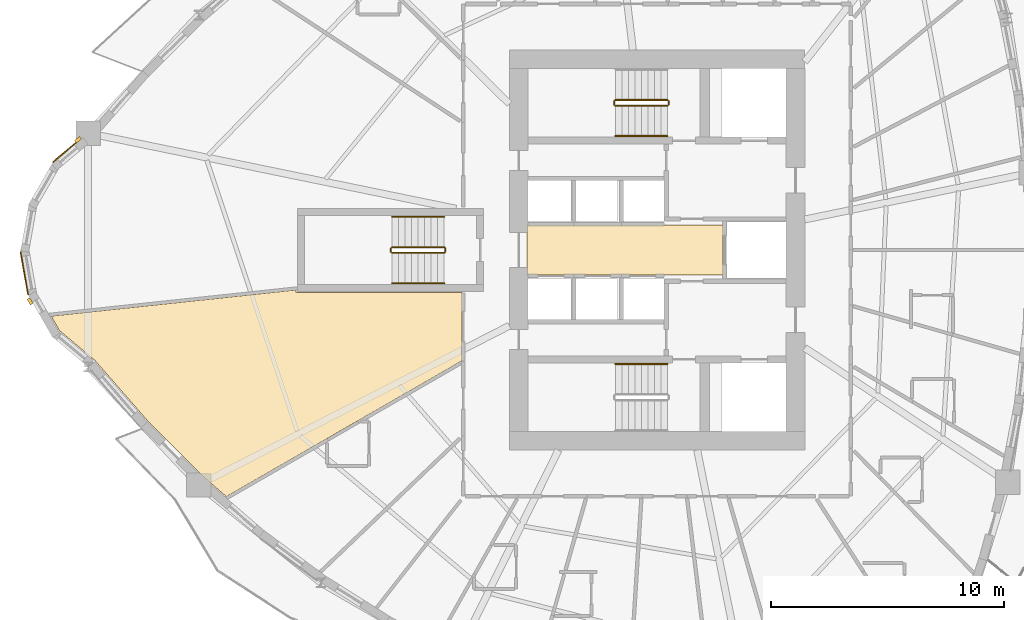
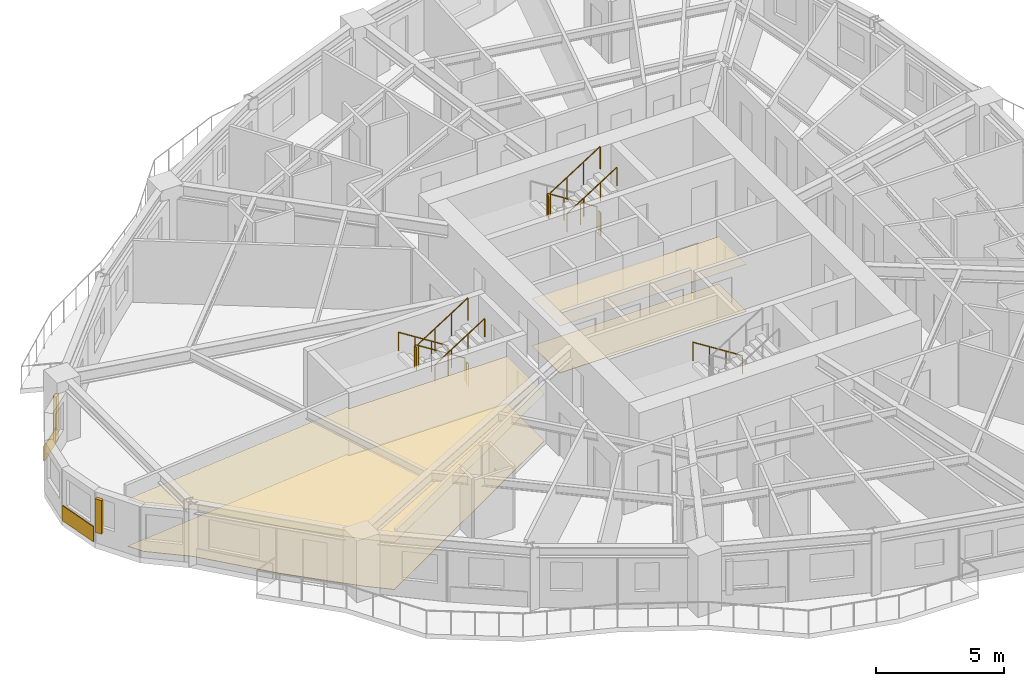
# One storey, part 12 of 14: 12 railings, 6 coverings, 2 shading devices.
"""IFC4 building model written with IfcOpenShell, lengths in metres."""

from ifc_helpers import new_model, si_unit, direction, frame, origin, origin_2d, place, context, subcontext, project, spatial, polyline, rectangle, circle, outline, extrude, source, transform, mapped, material, layer, layer_set, type_object, element, save


model = new_model("IFC4")

# Units and contexts
model_context = context("Model", 3, precision=1e-05, world=origin(), true_north=direction((0.0, 1.0)))
body_context = subcontext(model_context, "Body", "Model", "MODEL_VIEW")
ifc_project = project(units=[si_unit("LENGTHUNIT", "METRE"), si_unit("AREAUNIT", "SQUARE_METRE"), si_unit("VOLUMEUNIT", "CUBIC_METRE"), si_unit("PLANEANGLEUNIT", "RADIAN"), si_unit("MASSUNIT", "GRAM", prefix="KILO")], contexts=[model_context])

# Site, building, storey
site_placement = place(None, origin())
site = spatial("IfcSite", under=ifc_project, at=site_placement, CompositionType="ELEMENT")
building_placement = place(site_placement, origin())
building = spatial("IfcBuilding", under=site, at=building_placement, Name="Qafzar Sky-Pleat Residences", CompositionType="ELEMENT")
storey_placement = place(building_placement, frame((0.0, 0.0, 14.199951171875)))
storey = spatial("IfcBuildingStorey", under=building, at=storey_placement, Name="L03", CompositionType="ELEMENT", Elevation=14.199951171875)

# Coverings
ifc_material_1 = material(Name="Perforated acoustic gypsum board ceiling")
ifc_layer_1 = layer(ifc_material_1, 0.02001953125)
ifc_layer_set_1 = layer_set([ifc_layer_1], Name="Perforated acoustic gypsum board ceiling")
covering_type_1 = type_object("IfcCoveringType", Name="COV-CEIL-ACOUSTIC", PredefinedType="CEILING", material=ifc_layer_set_1)
covering_1_placement = place(storey_placement, frame((0.0, 0.0, 2.239990234375)))
element("IfcCovering", 1, at=covering_1_placement, inside=storey, type_object=covering_type_1, Name="L03 Passenger Lift Lobby Acoustic Ceiling", PredefinedType="CEILING", context=body_context, shape_type="SweptSolid", body=[
    extrude(outline(polyline([(33.179931640625, 24.919921875), (24.77001953125, 24.919921875), (24.77001953125, 27.080078125), (33.179931640625, 27.080078125), (33.179931640625, 24.919921875)])), origin(), (0.0, 0.0, 1.0), 0.02001953125),
])
covering_2_placement = place(storey_placement, frame((0.0, 0.0, 2.239990234375)))
element("IfcCovering", 2, at=covering_2_placement, inside=storey, type_object=covering_type_1, Name="L03 Resident Atrium Foyer Acoustic Ceiling", PredefinedType="CEILING", context=body_context, shape_type="SweptSolid", body=[
    extrude(outline(polyline([(10.921142578125, 16.194091796875), (8.50341796875, 18.602783203125), (6.180908203125, 21.263427734375), (4.668212890625, 22.532958984375), (4.30615234375, 23.159912109375), (14.840087890625, 24.2841796875), (14.840087890625, 24.1650390625), (21.9599609375, 24.1650390625), (21.9599609375, 21.2353515625), (11.83837890625, 15.403564453125), (10.921142578125, 16.194091796875)])), origin(), (0.0, 0.0, 1.0), 0.02001953125),
])
ifc_material_2 = material(Name="Honed porcelain and Riyadh stone tile flooring", Category="masonry")
ifc_layer_2 = layer(ifc_material_2, 0.02001953125)
ifc_layer_set_2 = layer_set([ifc_layer_2], Name="Honed porcelain and Riyadh stone tile flooring")
covering_type_2 = type_object("IfcCoveringType", Name="COV-FLR-PORCELAIN", PredefinedType="FLOORING", material=ifc_layer_set_2)
covering_3_placement = place(storey_placement, origin())
element("IfcCovering", 3, at=covering_3_placement, inside=storey, type_object=covering_type_2, Name="L03 Passenger Lift Lobby Honed Stone Flooring", PredefinedType="FLOORING", context=body_context, shape_type="SweptSolid", body=[
    extrude(outline(polyline([(33.179931640625, 24.919921875), (24.77001953125, 24.919921875), (24.77001953125, 27.080078125), (33.179931640625, 27.080078125), (33.179931640625, 24.919921875)])), origin(), (0.0, 0.0, 1.0), 0.02001953125),
])
covering_4_placement = place(storey_placement, origin())
element("IfcCovering", 4, at=covering_4_placement, inside=storey, type_object=covering_type_2, Name="L03 Resident Atrium Foyer Honed Stone Flooring", PredefinedType="FLOORING", context=body_context, shape_type="SweptSolid", body=[
    extrude(outline(polyline([(10.921142578125, 16.194091796875), (8.50341796875, 18.602783203125), (6.180908203125, 21.263427734375), (4.668212890625, 22.532958984375), (4.30615234375, 23.159912109375), (14.840087890625, 24.2841796875), (14.840087890625, 24.1650390625), (21.9599609375, 24.1650390625), (21.9599609375, 21.2353515625), (11.83837890625, 15.403564453125), (10.921142578125, 16.194091796875)])), origin(), (0.0, 0.0, 1.0), 0.02001953125),
])
ifc_material_3 = material(Name="Honed Riyadh Tuwaiq limestone cladding", Category="masonry")
ifc_layer_3 = layer(ifc_material_3, 0.044921875)
ifc_layer_set_3 = layer_set([ifc_layer_3], Name="Honed Riyadh Tuwaiq limestone cladding")
covering_type_3 = type_object("IfcCoveringType", Name="COV-CLAD-STONE", PredefinedType="CLADDING", material=ifc_layer_set_3)
shared_shape_1 = source(origin(), body_context, "Body", "SweptSolid", [
    extrude(rectangle(XDim=1.5771484375, YDim=0.044921875, at=origin_2d()), origin(), (0.0, 0.0, 1.0), 0.719970703125),
])
covering_5_placement = place(storey_placement, frame((4.98486328125, 30.28369140625, 0.02001953125), z_axis=(0.0, 0.0, 1.0), x_axis=(-0.766074606481, -0.642751660678, 0.0)))
element("IfcCovering", 5, at=covering_5_placement, inside=storey, type_object=covering_type_3, Name="L03 Riyadh Limestone Spandrel Cladding 1", PredefinedType="CLADDING", context=body_context, shape_type="MappedRepresentation", body=[
    mapped(shared_shape_1, transform((0.0, 0.0, 0.0), x_axis=(1.0, 0.0, 0.0), y_axis=(0.0, 1.0, 0.0), z_axis=(0.0, 0.0, 1.0), scale=1.0)),
])

# Shading devices
ifc_material_4 = material(Name="Honed Riyadh limestone solar fin", Category="masonry")
ifc_layer_4 = layer(ifc_material_4, 0.139892578125)
ifc_layer_set_4 = layer_set([ifc_layer_4], Name="Honed Riyadh limestone solar fin")
shading_device_type = type_object("IfcShadingDeviceType", Name="SHD-FIN-STONE", PredefinedType="SHUTTER", material=ifc_layer_set_4)
shared_shape_2 = source(origin(), body_context, "Body", "SweptSolid", [
    extrude(rectangle(XDim=0.139892578125, YDim=0.280029296875, at=origin_2d()), origin(), (0.0, 0.0, 1.0), 1.60009765625),
])
for number, where, z_axis, x_axis, name in (
    (6, (5.462890625, 30.740966796875, 0.60009765625), (0.0, 0.0, 1.0), (-0.642754210861, 0.76607246682, 0.0), "L03 Limestone Solar Fin 1"),
    (7, (3.40087890625, 23.7978515625, 0.60009765625), (0.0, 0.0, 1.0), (-0.86604422228, -0.499967403994, 0.0), "L03 Limestone Solar Fin 5"),
):
    element("IfcShadingDevice", number, at=place(storey_placement, frame(where, z_axis=z_axis, x_axis=x_axis)), inside=storey, type_object=shading_device_type, Name=name, PredefinedType="SHUTTER", context=body_context, shape_type="MappedRepresentation", body=[
        mapped(shared_shape_2, transform((0.0, 0.0, 0.0), x_axis=(1.0, 0.0, 0.0), y_axis=(0.0, 1.0, 0.0), z_axis=(0.0, 0.0, 1.0), scale=1.0)),
    ])

# Covering
shared_shape_3 = source(origin(), body_context, "Body", "SweptSolid", [
    extrude(rectangle(XDim=1.88134765625, YDim=0.044921875, at=origin_2d()), origin(), (0.0, 0.0, 1.0), 0.719970703125),
])
covering_6_placement = place(storey_placement, frame((3.1533203125, 25.00439453125, 0.02001953125), z_axis=(0.0, 0.0, 1.0), x_axis=(0.173662519465, -0.984805224059, 0.0)))
element("IfcCovering", 8, at=covering_6_placement, inside=storey, type_object=covering_type_3, Name="L03 Riyadh Limestone Spandrel Cladding 4", PredefinedType="CLADDING", context=body_context, shape_type="MappedRepresentation", body=[
    mapped(shared_shape_3, transform((0.0, 0.0, 0.0), x_axis=(1.0, 0.0, 0.0), y_axis=(0.0, 1.0, 0.0), z_axis=(0.0, 0.0, 1.0), scale=1.0)),
])

# Railings
ifc_material_5 = material(Name="Painted Steel S355 stair guardrail", Category="steel")
railing_type_1 = type_object("IfcRailingType", Name="RAIL-STAIR-GUARD", PredefinedType="GUARDRAIL", material=ifc_material_5)
shared_shape_4 = source(origin(), body_context, "Body", "SweptSolid", [
    extrude(circle(Radius=0.02392578125, at=origin_2d()), frame((0.0, 0.0, 1.076171875), z_axis=(0.0, -1.0, 0.0), x_axis=(1.0, 0.0, 0.0)), (0.0, 0.0, 1.0), 0.14990234375),
    extrude(circle(Radius=0.02099609375, at=origin_2d()), origin(), (0.0, 0.0, 1.0), 1.052001953125),
    extrude(circle(Radius=0.02099609375, at=origin_2d()), frame((0.0, -0.14990234375, 0.0)), (0.0, 0.0, 1.0), 1.052001953125),
])
for number, where, name in (
    (9, (28.510009765625, 32.39990234375, 1.60009765625), "L03 ST2 stair guard 2"),
    (10, (30.85009765625, 32.39990234375, 0.0), "L03 ST2 stair guard 4"),
    (11, (18.909912109375, 26.074951171875, 1.60009765625), "L03 ST3 stair guard 2"),
    (12, (21.25, 26.074951171875, 0.0), "L03 ST3 stair guard 4"),
):
    element("IfcRailing", number, at=place(storey_placement, frame(where)), inside=storey, type_object=railing_type_1, Name=name, PredefinedType="GUARDRAIL", context=body_context, shape_type="MappedRepresentation", body=[
        mapped(shared_shape_4, transform((0.0, 0.0, 0.0), x_axis=(1.0, 0.0, 0.0), y_axis=(0.0, 1.0, 0.0), z_axis=(0.0, 0.0, 1.0), scale=1.0)),
    ])
shared_shape_5 = source(origin(), body_context, "Body", "SweptSolid", [
    extrude(circle(Radius=0.02392578125, at=origin_2d()), frame((0.0, 0.0, 1.076171875), z_axis=(0.8442293374, 0.0, 0.53598211339), x_axis=(0.0, 1.0, 0.0)), (0.0, 0.0, 1.0), 2.6533203125),
    extrude(circle(Radius=0.02099609375, at=origin_2d()), origin(), (0.0, 0.0, 1.0), 1.052001953125),
    extrude(circle(Radius=0.02099609375, at=origin_2d()), frame((0.74658203125, 0.0, 0.47412109375)), (0.0, 0.0, 1.0), 1.052001953125),
    extrude(circle(Radius=0.02099609375, at=origin_2d()), frame((1.493408203125, 0.0, 0.947998046875)), (0.0, 0.0, 1.0), 1.052001953125),
    extrude(circle(Radius=0.02099609375, at=origin_2d()), frame((2.239990234375, 0.0, 1.422119140625)), (0.0, 0.0, 1.0), 1.052001953125),
])
for number, where, name in (
    (13, (28.56005859375, 32.199951171875, 1.77783203125), "L03 ST2 stair guard 3"),
    (14, (18.9599609375, 25.875, 1.77783203125), "L03 ST3 stair guard 3"),
):
    element("IfcRailing", number, at=place(storey_placement, frame(where)), inside=storey, type_object=railing_type_1, Name=name, PredefinedType="GUARDRAIL", context=body_context, shape_type="MappedRepresentation", body=[
        mapped(shared_shape_5, transform((0.0, 0.0, 0.0), x_axis=(1.0, 0.0, 0.0), y_axis=(0.0, 1.0, 0.0), z_axis=(0.0, 0.0, 1.0), scale=1.0)),
    ])
ifc_material_6 = material(Name="Brushed stainless steel handrail", Category="steel")
railing_type_2 = type_object("IfcRailingType", Name="RAIL-STAIR-HAND", PredefinedType="HANDRAIL", material=ifc_material_6)
shared_shape_6 = source(origin(), body_context, "Body", "SweptSolid", [
    extrude(circle(Radius=0.02392578125, at=origin_2d()), frame((0.0, 0.0, 0.8759765625), z_axis=(0.8442293374, 0.0, 0.53598211339), x_axis=(0.0, 1.0, 0.0)), (0.0, 0.0, 1.0), 2.6533203125),
    extrude(circle(Radius=0.02099609375, at=origin_2d()), origin(), (0.0, 0.0, 1.0), 0.851806640625),
    extrude(circle(Radius=0.02099609375, at=origin_2d()), frame((0.74658203125, 0.0, 0.47412109375)), (0.0, 0.0, 1.0), 0.851806640625),
    extrude(circle(Radius=0.02099609375, at=origin_2d()), frame((1.493408203125, 0.0, 0.947998046875)), (0.0, 0.0, 1.0), 0.851806640625),
    extrude(circle(Radius=0.02099609375, at=origin_2d()), frame((2.239990234375, 0.0, 1.422119140625)), (0.0, 0.0, 1.0), 0.851806640625),
])
for number, where, name in (
    (15, (28.56005859375, 30.89990234375, 1.77783203125), "L03 ST2 stair handrail 2"),
    (16, (18.9599609375, 24.574951171875, 1.77783203125), "L03 ST3 stair handrail 2"),
):
    element("IfcRailing", number, at=place(storey_placement, frame(where)), inside=storey, type_object=railing_type_2, Name=name, PredefinedType="HANDRAIL", context=body_context, shape_type="MappedRepresentation", body=[
        mapped(shared_shape_6, transform((0.0, 0.0, 0.0), x_axis=(1.0, 0.0, 0.0), y_axis=(0.0, 1.0, 0.0), z_axis=(0.0, 0.0, 1.0), scale=1.0)),
    ])
shared_shape_7 = source(origin(), body_context, "Body", "SweptSolid", [
    extrude(circle(Radius=0.02392578125, at=origin_2d()), frame((0.0, 0.0, 1.076171875), z_axis=(-0.84418770128, 0.0, 0.536047689118), x_axis=(0.0, -1.0, 0.0)), (0.0, 0.0, 1.0), 2.6533203125),
    extrude(circle(Radius=0.02099609375, at=origin_2d()), origin(), (0.0, 0.0, 1.0), 1.052001953125),
    extrude(circle(Radius=0.02099609375, at=origin_2d()), frame((-0.74658203125, 0.0, 0.47412109375)), (0.0, 0.0, 1.0), 1.052001953125),
    extrude(circle(Radius=0.02099609375, at=origin_2d()), frame((-1.493408203125, 0.0, 0.9482421875)), (0.0, 0.0, 1.0), 1.052001953125),
    extrude(circle(Radius=0.02099609375, at=origin_2d()), frame((-2.239990234375, 0.0, 1.42236328125)), (0.0, 0.0, 1.0), 1.052001953125),
])
for number, where, name in (
    (17, (30.800048828125, 32.449951171875, 0.177734375), "L03 ST2 stair guard 1"),
    (18, (21.199951171875, 26.125, 0.177734375), "L03 ST3 stair guard 1"),
):
    element("IfcRailing", number, at=place(storey_placement, frame(where)), inside=storey, type_object=railing_type_1, Name=name, PredefinedType="GUARDRAIL", context=body_context, shape_type="MappedRepresentation", body=[
        mapped(shared_shape_7, transform((0.0, 0.0, 0.0), x_axis=(1.0, 0.0, 0.0), y_axis=(0.0, 1.0, 0.0), z_axis=(0.0, 0.0, 1.0), scale=1.0)),
    ])
shared_shape_8 = source(origin(), body_context, "Body", "SweptSolid", [
    extrude(circle(Radius=0.02392578125, at=origin_2d()), frame((0.0, 0.0, 0.8759765625), z_axis=(-0.84418770128, 0.0, 0.536047689118), x_axis=(0.0, -1.0, 0.0)), (0.0, 0.0, 1.0), 2.6533203125),
    extrude(circle(Radius=0.02099609375, at=origin_2d()), origin(), (0.0, 0.0, 1.0), 0.851806640625),
    extrude(circle(Radius=0.02099609375, at=origin_2d()), frame((-0.74658203125, 0.0, 0.47412109375)), (0.0, 0.0, 1.0), 0.851806640625),
    extrude(circle(Radius=0.02099609375, at=origin_2d()), frame((-1.493408203125, 0.0, 0.9482421875)), (0.0, 0.0, 1.0), 0.851806640625),
    extrude(circle(Radius=0.02099609375, at=origin_2d()), frame((-2.239990234375, 0.0, 1.42236328125)), (0.0, 0.0, 1.0), 0.851806640625),
])
for number, where, name in (
    (19, (30.800048828125, 21.10009765625, 0.177734375), "L03 ST1 stair handrail 1"),
    (20, (21.199951171875, 27.425048828125, 0.177734375), "L03 ST3 stair handrail 1"),
):
    element("IfcRailing", number, at=place(storey_placement, frame(where)), inside=storey, type_object=railing_type_2, Name=name, PredefinedType="HANDRAIL", context=body_context, shape_type="MappedRepresentation", body=[
        mapped(shared_shape_8, transform((0.0, 0.0, 0.0), x_axis=(1.0, 0.0, 0.0), y_axis=(0.0, 1.0, 0.0), z_axis=(0.0, 0.0, 1.0), scale=1.0)),
    ])

save(model, "model.ifc")
